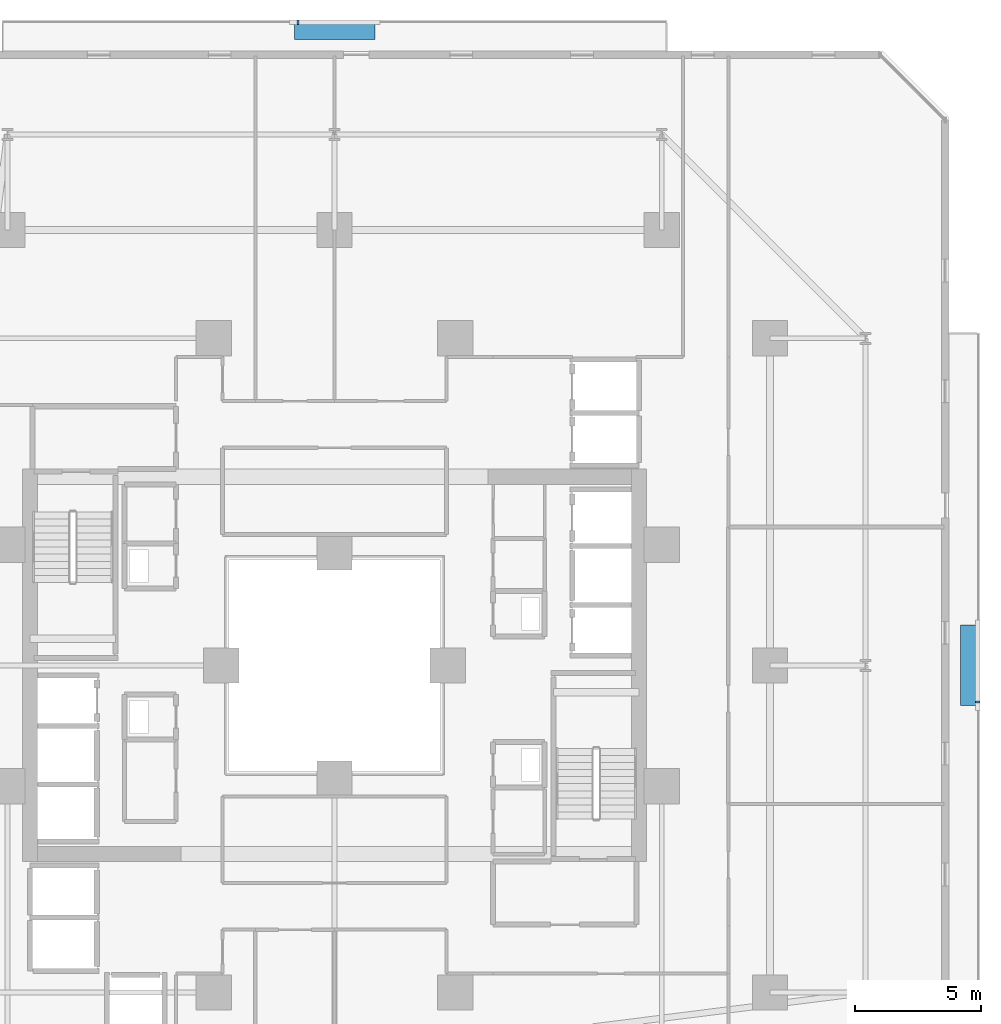
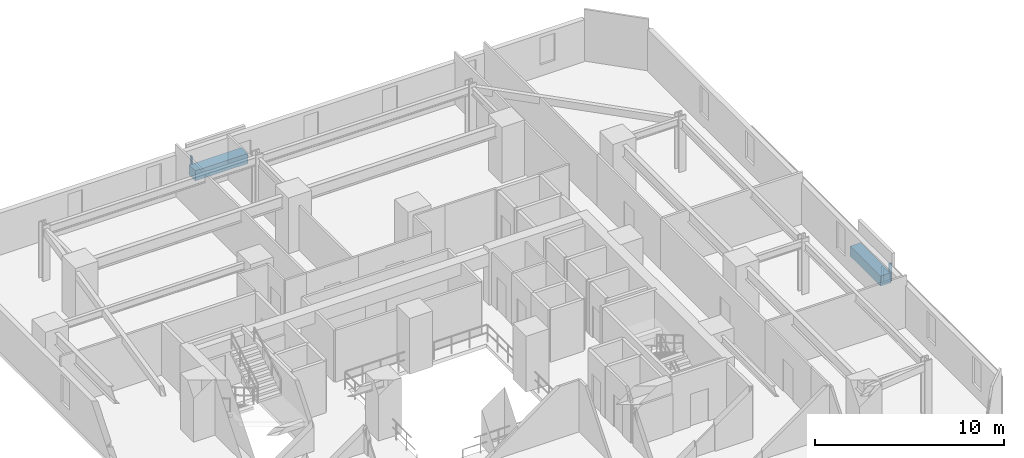
# One storey, part 31 of 35: 4 discrete accessories.
"""IFC4 building model written with IfcOpenShell, lengths in metres."""

from ifc_helpers import new_model, si_unit, direction, frame, origin, origin_2d, place, context, subcontext, project, spatial, rectangle, extrude, material, type_object, element, save


model = new_model("IFC4")

# Units and contexts
model_context = context("Model", 3, precision=1e-05, world=origin(), true_north=direction((0.0, 1.0)))
body_context = subcontext(model_context, "Body", "Model", "MODEL_VIEW")
ifc_project = project(units=[si_unit("LENGTHUNIT", "METRE"), si_unit("AREAUNIT", "SQUARE_METRE"), si_unit("VOLUMEUNIT", "CUBIC_METRE"), si_unit("PLANEANGLEUNIT", "RADIAN"), si_unit("MASSUNIT", "GRAM", prefix="KILO")], contexts=[model_context])

# Site, building, storey
site_placement = place(None, origin())
site = spatial("IfcSite", under=ifc_project, at=site_placement, CompositionType="ELEMENT")
building_placement = place(site_placement, origin())
building = spatial("IfcBuilding", under=site, at=building_placement, Name="Thornwick Lancets Civic Towers", CompositionType="ELEMENT")
storey_placement = place(building_placement, frame((0.0, 0.0, 64.5)))
storey = spatial("IfcBuildingStorey", under=building, at=storey_placement, Name="L16", CompositionType="ELEMENT", Elevation=64.5)

# Discrete accessories
ifc_material_1 = material(Name="Planted terracotta greenery planter", Category="masonry")
discrete_accessory_type_1 = type_object("IfcDiscreteAccessoryType", Name="ACC_PLANTER_BOX", PredefinedType="USERDEFINED", material=ifc_material_1)
discrete_accessory_1_placement = place(storey_placement, frame((113.699951171875, 27.0, 0.0), z_axis=(0.0, 0.0, 1.0), x_axis=(1.0, 0.0, 0.0)))
element("IfcDiscreteAccessory", 1, at=discrete_accessory_1_placement, inside=storey, type_object=discrete_accessory_type_1, Name="L16 Tower B Balcony Greenery Planter E", ObjectType="PLANTER", PredefinedType="USERDEFINED", context=body_context, shape_type="SweptSolid", body=[
    extrude(rectangle(XDim=0.64990234375, YDim=3.199951171875, at=origin_2d()), origin(), (0.0, 0.0, 1.0), 0.64990234375),
])
discrete_accessory_2_placement = place(storey_placement, frame((88.5, 52.199951171875, 0.0), z_axis=(0.0, 0.0, 1.0), x_axis=(1.0, 0.0, 0.0)))
element("IfcDiscreteAccessory", 2, at=discrete_accessory_2_placement, inside=storey, type_object=discrete_accessory_type_1, Name="L16 Tower B Balcony Greenery Planter N", ObjectType="PLANTER", PredefinedType="USERDEFINED", context=body_context, shape_type="SweptSolid", body=[
    extrude(rectangle(XDim=3.199951171875, YDim=0.64990234375, at=origin_2d()), origin(), (0.0, 0.0, 1.0), 0.64990234375),
])
ifc_material_2 = material(Name="Stainless steel S355", Category="steel")
discrete_accessory_type_2 = type_object("IfcDiscreteAccessoryType", Name="ACC_SCREEN_BRACKET", PredefinedType="BRACKET", material=ifc_material_2)
for number, where, z_axis, x_axis, name in (
    (3, (114.06005859375, 25.550048828125, 0.0), (0.0, 0.0, 1.0), (0.0, 1.0, 0.0), "L16 Tower B Balcony Screen Stanchion Bracket E-1"),
    (4, (87.050048828125, 52.56005859375, 0.0), (0.0, 0.0, 1.0), (1.0, 0.0, 0.0), "L16 Tower B Balcony Screen Stanchion Bracket N-1"),
):
    element("IfcDiscreteAccessory", number, at=place(storey_placement, frame(where, z_axis=z_axis, x_axis=x_axis)), inside=storey, type_object=discrete_accessory_type_2, Name=name, PredefinedType="BRACKET", context=body_context, shape_type="SweptSolid", body=[
        extrude(rectangle(XDim=0.080078125, YDim=0.179931640625, at=origin_2d()), origin(), (0.0, 0.0, 1.0), 1.14990234375),
    ])

save(model, "model.ifc")
